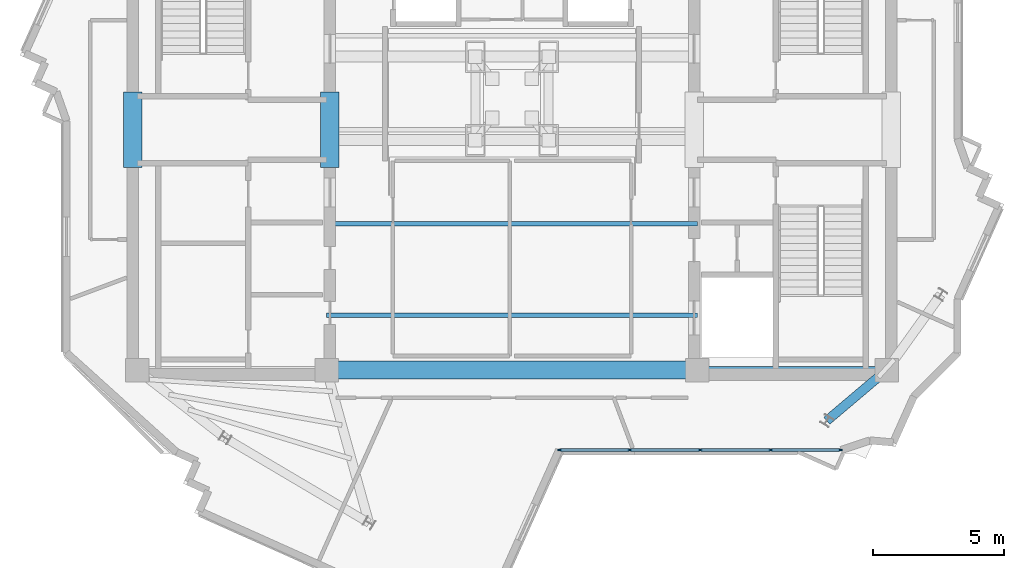
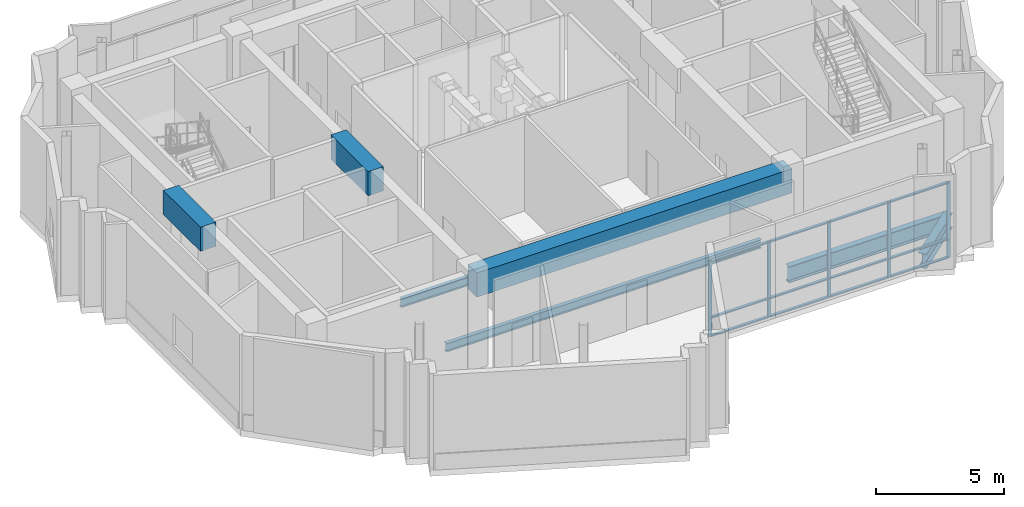
# One storey, part 2 of 11: 17 members, 7 beams, 1 element without a shape of its own.
"""IFC4 building model written with IfcOpenShell, lengths in metres."""

from ifc_helpers import new_model, si_unit, direction, frame, origin, origin_2d, place, context, subcontext, project, spatial, rectangle, i_section, extrude, source, transform, mapped, material, layer, layer_set, material_profile, profile_set, type_object, element, aggregate, save


model = new_model("IFC4")

# Units and contexts
model_context = context("Model", 3, precision=1e-05, world=origin(), true_north=direction((0.0, 1.0)))
body_context = subcontext(model_context, "Body", "Model", "MODEL_VIEW")
ifc_project = project(units=[si_unit("LENGTHUNIT", "METRE"), si_unit("AREAUNIT", "SQUARE_METRE"), si_unit("VOLUMEUNIT", "CUBIC_METRE"), si_unit("PLANEANGLEUNIT", "RADIAN"), si_unit("MASSUNIT", "GRAM", prefix="KILO")], contexts=[model_context])

# Site, building, storey
site_placement = place(None, origin())
site = spatial("IfcSite", under=ifc_project, at=site_placement, CompositionType="ELEMENT")
building_placement = place(site_placement, origin())
building = spatial("IfcBuilding", under=site, at=building_placement, Name="Zahravan Cultural Tower", CompositionType="ELEMENT")
storey_placement = place(building_placement, frame((0.0, 0.0, 361.050048828125)))
storey = spatial("IfcBuildingStorey", under=building, at=storey_placement, Name="L88", CompositionType="ELEMENT", Elevation=361.050048828125)

# Beams
ifc_material_1 = material(Name="Concrete C50/60", Category="concrete")
ifc_material_profile_1 = material_profile(ifc_material_1, rectangle(XDim=0.699951171875, YDim=1.14990234375, at=origin_2d()), Name="RC700X1150")
ifc_profile_set_1 = profile_set([ifc_material_profile_1], Name="Concrete C50/60")
beam_type_1 = type_object("IfcBeamType", Name="BM-LN-RC700X1150", PredefinedType="LINTEL", material=ifc_profile_set_1)
shared_shape_1 = source(origin(), body_context, "Body", "SweptSolid", [
    extrude(rectangle(XDim=0.699951171875, YDim=1.14990234375, at=origin_2d()), origin(), (0.0, 0.0, 1.0), 14.2001953125),
])
beam_1_placement = place(storey_placement, frame((28.89990234375, 17.800048828125, 3.925048828125), z_axis=(1.0, 0.0, 0.0), x_axis=(0.0, 1.0, 0.0)))
element("IfcBeam", 1, at=beam_1_placement, inside=storey, type_object=beam_type_1, Name="L88 Beam LN-L88-S", PredefinedType="LINTEL", context=body_context, shape_type="MappedRepresentation", body=[
    mapped(shared_shape_1, transform((0.0, 0.0, 0.0), x_axis=(1.0, 0.0, 0.0), y_axis=(0.0, 1.0, 0.0), z_axis=(0.0, 0.0, 1.0), scale=1.0)),
])
shared_shape_2 = source(origin(), body_context, "Body", "SweptSolid", [
    extrude(rectangle(XDim=0.699951171875, YDim=1.14990234375, at=origin_2d()), origin(), (0.0, 0.0, 1.0), 2.89990234375),
])
for number, where, z_axis, x_axis, name in (
    (2, (21.47509765625, 25.550048828125, 3.925048828125), (0.0, 1.0, 0.0), (-1.0, 0.0, 0.0), "L88 Beam LN-L88-PWW"),
    (3, (29.02490234375, 25.550048828125, 3.925048828125), (0.0, 1.0, 0.0), (-1.0, 0.0, 0.0), "L88 Beam LN-L88-PWE"),
):
    element("IfcBeam", number, at=place(storey_placement, frame(where, z_axis=z_axis, x_axis=x_axis)), inside=storey, type_object=beam_type_1, Name=name, PredefinedType="LINTEL", context=body_context, shape_type="MappedRepresentation", body=[
        mapped(shared_shape_2, transform((0.0, 0.0, 0.0), x_axis=(1.0, 0.0, 0.0), y_axis=(0.0, 1.0, 0.0), z_axis=(0.0, 0.0, 1.0), scale=1.0)),
    ])
ifc_material_2 = material(Name="Steel ASTM A992 Grade 50", Category="steel")
ifc_material_profile_2 = material_profile(ifc_material_2, i_section(OverallWidth=0.26611328125, OverallDepth=0.780029296875, WebThickness=0.0166015625, FlangeThickness=0.030029296875, FilletRadius=0.01904296875, at=origin_2d()), Name="W30X148")
ifc_profile_set_2 = profile_set([ifc_material_profile_2], Name="Steel ASTM A992 Grade 50")
beam_type_2 = type_object("IfcBeamType", Name="BM-G-W30X148", PredefinedType="BEAM", material=ifc_profile_set_2)
shared_shape_3 = source(origin(), body_context, "Body", "SweptSolid", [
    extrude(i_section(OverallWidth=0.26611328125, OverallDepth=0.780029296875, WebThickness=0.0166015625, FlangeThickness=0.030029296875, FilletRadius=0.01904296875, at=origin_2d()), origin(), (0.0, 0.0, 1.0), 7.25),
])
beam_2_placement = place(storey_placement, frame((43.10009765625, 17.800048828125, -0.68994140625), z_axis=(1.0, 0.0, 0.0), x_axis=(0.0, 1.0, 0.0)))
element("IfcBeam", 4, at=beam_2_placement, inside=storey, type_object=beam_type_2, Name="L88 Beam BG-L88-04", PredefinedType="BEAM", context=body_context, shape_type="MappedRepresentation", body=[
    mapped(shared_shape_3, transform((0.0, 0.0, 0.0), x_axis=(1.0, 0.0, 0.0), y_axis=(0.0, 1.0, 0.0), z_axis=(0.0, 0.0, 1.0), scale=1.0)),
])
ifc_material_profile_3 = material_profile(ifc_material_2, i_section(OverallWidth=0.35498046875, OverallDepth=0.696044921875, WebThickness=0.015380859375, FlangeThickness=0.025146484375, FilletRadius=0.01806640625, at=origin_2d()), Name="W27X146")
ifc_profile_set_3 = profile_set([ifc_material_profile_3], Name="Steel ASTM A992 Grade 50")
beam_type_3 = type_object("IfcBeamType", Name="BM-G-W27X146", PredefinedType="BEAM", material=ifc_profile_set_3)
shared_shape_4 = source(origin(), body_context, "Body", "SweptSolid", [
    extrude(i_section(OverallWidth=0.35498046875, OverallDepth=0.696044921875, WebThickness=0.015380859375, FlangeThickness=0.025146484375, FilletRadius=0.01806640625, at=origin_2d()), origin(), (0.0, 0.0, 1.0), 3.00537109375),
])
beam_3_placement = place(storey_placement, frame((50.35009765625, 17.800048828125, -0.64794921875), z_axis=(-0.763546494847, -0.645752855361, 0.0), x_axis=(0.645752855361, -0.763546494847, 0.0)))
element("IfcBeam", 5, at=beam_3_placement, inside=storey, type_object=beam_type_3, Name="L88 Beam BG-L88-09", PredefinedType="BEAM", context=body_context, shape_type="MappedRepresentation", body=[
    mapped(shared_shape_4, transform((0.0, 0.0, 0.0), x_axis=(1.0, 0.0, 0.0), y_axis=(0.0, 1.0, 0.0), z_axis=(0.0, 0.0, 1.0), scale=1.0)),
])
ifc_material_profile_4 = material_profile(ifc_material_2, i_section(OverallWidth=0.177978515625, OverallDepth=0.406005859375, WebThickness=0.0078125, FlangeThickness=0.0126953125, FilletRadius=0.011962890625, at=origin_2d()), Name="W16X40")
ifc_profile_set_4 = profile_set([ifc_material_profile_4], Name="Steel ASTM A992 Grade 50")
beam_type_4 = type_object("IfcBeamType", Name="BM-J-W16X40", PredefinedType="JOIST", material=ifc_profile_set_4)
shared_shape_5 = source(origin(), body_context, "Body", "SweptSolid", [
    extrude(i_section(OverallWidth=0.177978515625, OverallDepth=0.406005859375, WebThickness=0.0078125, FlangeThickness=0.0126953125, FilletRadius=0.011962890625, at=origin_2d()), origin(), (0.0, 0.0, 1.0), 14.2001953125),
])
for number, where, z_axis, x_axis, name in (
    (6, (28.89990234375, 19.89990234375, -0.5029296875), (1.0, 0.0, 0.0), (0.0, 1.0, 0.0), "L88 Beam BJ-L88-20"),
    (7, (28.89990234375, 23.39990234375, -0.5029296875), (1.0, 0.0, 0.0), (0.0, 1.0, 0.0), "L88 Beam BJ-L88-21"),
):
    element("IfcBeam", number, at=place(storey_placement, frame(where, z_axis=z_axis, x_axis=x_axis)), inside=storey, type_object=beam_type_4, Name=name, PredefinedType="JOIST", context=body_context, shape_type="MappedRepresentation", body=[
        mapped(shared_shape_5, transform((0.0, 0.0, 0.0), x_axis=(1.0, 0.0, 0.0), y_axis=(0.0, 1.0, 0.0), z_axis=(0.0, 0.0, 1.0), scale=1.0)),
    ])

# Curtain wall, members
ifc_material_3 = material(Name="Anodised bronze-aluminium mullion", Category="aluminium")
ifc_layer = layer(ifc_material_3, 0.14990234375)
ifc_layer_set = layer_set([ifc_layer], Name="Anodised bronze-aluminium mullion")
curtain_wall_type = type_object("IfcCurtainWallType", Name="CW-SYS-6", PredefinedType="USERDEFINED", material=ifc_layer_set)
curtain_wall_placement = place(storey_placement, origin())
curtain_wall = element("IfcCurtainWall", 8, at=curtain_wall_placement, inside=storey, type_object=curtain_wall_type, Name="L88 Recessed Curtain Wall CW-6.2", ObjectType="OBSERVATORY LANTERN", PredefinedType="USERDEFINED")
ifc_material_profile_5 = material_profile(ifc_material_3, rectangle(XDim=0.06005859375, YDim=0.14990234375, at=origin_2d()), Name="AL-M60X150")
ifc_profile_set_5 = profile_set([ifc_material_profile_5], Name="Anodised bronze-aluminium mullion")
member_type_1 = type_object("IfcMemberType", Name="CWM-CW-6", PredefinedType="MULLION", material=ifc_profile_set_5)
shared_shape_6 = source(origin(), body_context, "Body", "SweptSolid", [
    extrude(rectangle(XDim=0.06005859375, YDim=0.14990234375, at=origin_2d()), origin(), (0.0, 0.0, 1.0), 3.619873046875),
])
member_1_placement = place(storey_placement, frame((48.579345703125, 14.739990234375, 0.0), z_axis=(0.0, 0.0, 1.0), x_axis=(0.0, -1.0, 0.0)))
member_1 = element("IfcMember", 9, at=member_1_placement, type_object=member_type_1, Name="CW-6 mullion 1", PredefinedType="MULLION", context=body_context, shape_type="MappedRepresentation", body=[
    mapped(shared_shape_6, transform((0.0, 0.0, 0.0), x_axis=(1.0, 0.0, 0.0), y_axis=(0.0, 1.0, 0.0), z_axis=(0.0, 0.0, 1.0), scale=1.0)),
])
member_2_placement = place(storey_placement, frame((45.908203125, 14.739990234375, 0.0), z_axis=(0.0, 0.0, 1.0), x_axis=(0.0, -1.0, 0.0)))
member_2 = element("IfcMember", 10, at=member_2_placement, type_object=member_type_1, Name="CW-6 mullion 2", PredefinedType="MULLION", context=body_context, shape_type="MappedRepresentation", body=[
    mapped(shared_shape_6, transform((0.0, 0.0, 0.0), x_axis=(1.0, 0.0, 0.0), y_axis=(0.0, 1.0, 0.0), z_axis=(0.0, 0.0, 1.0), scale=1.0)),
])
member_3_placement = place(storey_placement, frame((43.207275390625, 14.739990234375, 0.0), z_axis=(0.0, 0.0, 1.0), x_axis=(0.0, -1.0, 0.0)))
member_3 = element("IfcMember", 11, at=member_3_placement, type_object=member_type_1, Name="CW-6 mullion 3", PredefinedType="MULLION", context=body_context, shape_type="MappedRepresentation", body=[
    mapped(shared_shape_6, transform((0.0, 0.0, 0.0), x_axis=(1.0, 0.0, 0.0), y_axis=(0.0, 1.0, 0.0), z_axis=(0.0, 0.0, 1.0), scale=1.0)),
])
member_4_placement = place(storey_placement, frame((40.506103515625, 14.739990234375, 0.0), z_axis=(0.0, 0.0, 1.0), x_axis=(0.0, -1.0, 0.0)))
member_4 = element("IfcMember", 12, at=member_4_placement, type_object=member_type_1, Name="CW-6 mullion 4", PredefinedType="MULLION", context=body_context, shape_type="MappedRepresentation", body=[
    mapped(shared_shape_6, transform((0.0, 0.0, 0.0), x_axis=(1.0, 0.0, 0.0), y_axis=(0.0, 1.0, 0.0), z_axis=(0.0, 0.0, 1.0), scale=1.0)),
])
member_5_placement = place(storey_placement, frame((37.835205078125, 14.739990234375, 0.0), z_axis=(0.0, 0.0, 1.0), x_axis=(0.0, -1.0, 0.0)))
member_5 = element("IfcMember", 13, at=member_5_placement, type_object=member_type_1, Name="CW-6 mullion 5", PredefinedType="MULLION", context=body_context, shape_type="MappedRepresentation", body=[
    mapped(shared_shape_6, transform((0.0, 0.0, 0.0), x_axis=(1.0, 0.0, 0.0), y_axis=(0.0, 1.0, 0.0), z_axis=(0.0, 0.0, 1.0), scale=1.0)),
])
ifc_material_profile_6 = material_profile(ifc_material_3, rectangle(XDim=0.1201171875, YDim=0.06005859375, at=origin_2d()), Name="AL-T60X120")
ifc_profile_set_6 = profile_set([ifc_material_profile_6], Name="Anodised bronze-aluminium mullion")
member_type_2 = type_object("IfcMemberType", Name="CWT-CW-6", PredefinedType="USERDEFINED", material=ifc_profile_set_6)
shared_shape_7 = source(origin(), body_context, "Body", "SweptSolid", [
    extrude(rectangle(XDim=0.1201171875, YDim=0.06005859375, at=origin_2d()), origin(), (0.0, 0.0, 1.0), 2.611083984375),
])
member_6_placement = place(storey_placement, frame((48.54931640625, 14.739990234375, 0.030029296875), z_axis=(-1.0, 0.0, 0.0), x_axis=(0.0, -1.0, 0.0)))
member_6 = element("IfcMember", 14, at=member_6_placement, type_object=member_type_2, Name="CW-6 transom 1.1", ObjectType="TRANSOM", PredefinedType="USERDEFINED", context=body_context, shape_type="MappedRepresentation", body=[
    mapped(shared_shape_7, transform((0.0, 0.0, 0.0), x_axis=(1.0, 0.0, 0.0), y_axis=(0.0, 1.0, 0.0), z_axis=(0.0, 0.0, 1.0), scale=1.0)),
])
member_7_placement = place(storey_placement, frame((48.54931640625, 14.739990234375, 0.89990234375), z_axis=(-1.0, 0.0, 0.0), x_axis=(0.0, -1.0, 0.0)))
member_7 = element("IfcMember", 15, at=member_7_placement, type_object=member_type_2, Name="CW-6 transom 1.2", ObjectType="TRANSOM", PredefinedType="USERDEFINED", context=body_context, shape_type="MappedRepresentation", body=[
    mapped(shared_shape_7, transform((0.0, 0.0, 0.0), x_axis=(1.0, 0.0, 0.0), y_axis=(0.0, 1.0, 0.0), z_axis=(0.0, 0.0, 1.0), scale=1.0)),
])
member_8_placement = place(storey_placement, frame((48.54931640625, 14.739990234375, 3.58984375), z_axis=(-1.0, 0.0, 0.0), x_axis=(0.0, -1.0, 0.0)))
member_8 = element("IfcMember", 16, at=member_8_placement, type_object=member_type_2, Name="CW-6 transom 1.3", ObjectType="TRANSOM", PredefinedType="USERDEFINED", context=body_context, shape_type="MappedRepresentation", body=[
    mapped(shared_shape_7, transform((0.0, 0.0, 0.0), x_axis=(1.0, 0.0, 0.0), y_axis=(0.0, 1.0, 0.0), z_axis=(0.0, 0.0, 1.0), scale=1.0)),
])
member_9_placement = place(storey_placement, frame((40.47607421875, 14.739990234375, 0.030029296875), z_axis=(-1.0, 0.0, 0.0), x_axis=(0.0, -1.0, 0.0)))
member_9 = element("IfcMember", 17, at=member_9_placement, type_object=member_type_2, Name="CW-6 transom 4.1", ObjectType="TRANSOM", PredefinedType="USERDEFINED", context=body_context, shape_type="MappedRepresentation", body=[
    mapped(shared_shape_7, transform((0.0, 0.0, 0.0), x_axis=(1.0, 0.0, 0.0), y_axis=(0.0, 1.0, 0.0), z_axis=(0.0, 0.0, 1.0), scale=1.0)),
])
member_10_placement = place(storey_placement, frame((40.47607421875, 14.739990234375, 0.89990234375), z_axis=(-1.0, 0.0, 0.0), x_axis=(0.0, -1.0, 0.0)))
member_10 = element("IfcMember", 18, at=member_10_placement, type_object=member_type_2, Name="CW-6 transom 4.2", ObjectType="TRANSOM", PredefinedType="USERDEFINED", context=body_context, shape_type="MappedRepresentation", body=[
    mapped(shared_shape_7, transform((0.0, 0.0, 0.0), x_axis=(1.0, 0.0, 0.0), y_axis=(0.0, 1.0, 0.0), z_axis=(0.0, 0.0, 1.0), scale=1.0)),
])
member_11_placement = place(storey_placement, frame((40.47607421875, 14.739990234375, 3.58984375), z_axis=(-1.0, 0.0, 0.0), x_axis=(0.0, -1.0, 0.0)))
member_11 = element("IfcMember", 19, at=member_11_placement, type_object=member_type_2, Name="CW-6 transom 4.3", ObjectType="TRANSOM", PredefinedType="USERDEFINED", context=body_context, shape_type="MappedRepresentation", body=[
    mapped(shared_shape_7, transform((0.0, 0.0, 0.0), x_axis=(1.0, 0.0, 0.0), y_axis=(0.0, 1.0, 0.0), z_axis=(0.0, 0.0, 1.0), scale=1.0)),
])
shared_shape_8 = source(origin(), body_context, "Body", "SweptSolid", [
    extrude(rectangle(XDim=0.1201171875, YDim=0.06005859375, at=origin_2d()), origin(), (0.0, 0.0, 1.0), 2.64111328125),
])
member_12_placement = place(storey_placement, frame((45.87841796875, 14.739990234375, 0.030029296875), z_axis=(-1.0, 0.0, 0.0), x_axis=(0.0, -1.0, 0.0)))
member_12 = element("IfcMember", 20, at=member_12_placement, type_object=member_type_2, Name="CW-6 transom 2.1", ObjectType="TRANSOM", PredefinedType="USERDEFINED", context=body_context, shape_type="MappedRepresentation", body=[
    mapped(shared_shape_8, transform((0.0, 0.0, 0.0), x_axis=(1.0, 0.0, 0.0), y_axis=(0.0, 1.0, 0.0), z_axis=(0.0, 0.0, 1.0), scale=1.0)),
])
member_13_placement = place(storey_placement, frame((45.87841796875, 14.739990234375, 0.89990234375), z_axis=(-1.0, 0.0, 0.0), x_axis=(0.0, -1.0, 0.0)))
member_13 = element("IfcMember", 21, at=member_13_placement, type_object=member_type_2, Name="CW-6 transom 2.2", ObjectType="TRANSOM", PredefinedType="USERDEFINED", context=body_context, shape_type="MappedRepresentation", body=[
    mapped(shared_shape_8, transform((0.0, 0.0, 0.0), x_axis=(1.0, 0.0, 0.0), y_axis=(0.0, 1.0, 0.0), z_axis=(0.0, 0.0, 1.0), scale=1.0)),
])
member_14_placement = place(storey_placement, frame((45.87841796875, 14.739990234375, 3.58984375), z_axis=(-1.0, 0.0, 0.0), x_axis=(0.0, -1.0, 0.0)))
member_14 = element("IfcMember", 22, at=member_14_placement, type_object=member_type_2, Name="CW-6 transom 2.3", ObjectType="TRANSOM", PredefinedType="USERDEFINED", context=body_context, shape_type="MappedRepresentation", body=[
    mapped(shared_shape_8, transform((0.0, 0.0, 0.0), x_axis=(1.0, 0.0, 0.0), y_axis=(0.0, 1.0, 0.0), z_axis=(0.0, 0.0, 1.0), scale=1.0)),
])
member_15_placement = place(storey_placement, frame((43.17724609375, 14.739990234375, 0.030029296875), z_axis=(-1.0, 0.0, 0.0), x_axis=(0.0, -1.0, 0.0)))
member_15 = element("IfcMember", 23, at=member_15_placement, type_object=member_type_2, Name="CW-6 transom 3.1", ObjectType="TRANSOM", PredefinedType="USERDEFINED", context=body_context, shape_type="MappedRepresentation", body=[
    mapped(shared_shape_8, transform((0.0, 0.0, 0.0), x_axis=(1.0, 0.0, 0.0), y_axis=(0.0, 1.0, 0.0), z_axis=(0.0, 0.0, 1.0), scale=1.0)),
])
member_16_placement = place(storey_placement, frame((43.17724609375, 14.739990234375, 0.89990234375), z_axis=(-1.0, 0.0, 0.0), x_axis=(0.0, -1.0, 0.0)))
member_16 = element("IfcMember", 24, at=member_16_placement, type_object=member_type_2, Name="CW-6 transom 3.2", ObjectType="TRANSOM", PredefinedType="USERDEFINED", context=body_context, shape_type="MappedRepresentation", body=[
    mapped(shared_shape_8, transform((0.0, 0.0, 0.0), x_axis=(1.0, 0.0, 0.0), y_axis=(0.0, 1.0, 0.0), z_axis=(0.0, 0.0, 1.0), scale=1.0)),
])
member_17_placement = place(storey_placement, frame((43.17724609375, 14.739990234375, 3.58984375), z_axis=(-1.0, 0.0, 0.0), x_axis=(0.0, -1.0, 0.0)))
member_17 = element("IfcMember", 25, at=member_17_placement, type_object=member_type_2, Name="CW-6 transom 3.3", ObjectType="TRANSOM", PredefinedType="USERDEFINED", context=body_context, shape_type="MappedRepresentation", body=[
    mapped(shared_shape_8, transform((0.0, 0.0, 0.0), x_axis=(1.0, 0.0, 0.0), y_axis=(0.0, 1.0, 0.0), z_axis=(0.0, 0.0, 1.0), scale=1.0)),
])
aggregate(curtain_wall, [member_1, member_2, member_3, member_4, member_5, member_6, member_7, member_8, member_12, member_13, member_14, member_15, member_16, member_17, member_9, member_10, member_11])

save(model, "model.ifc")
